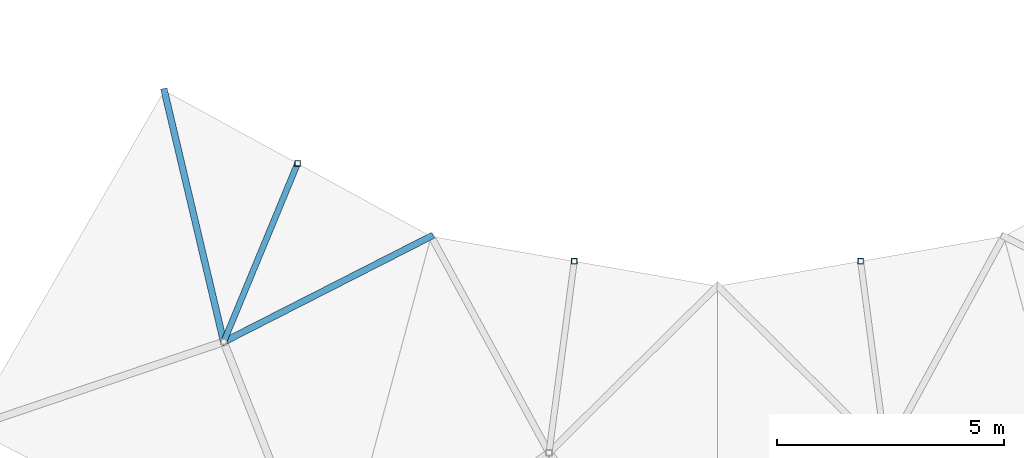
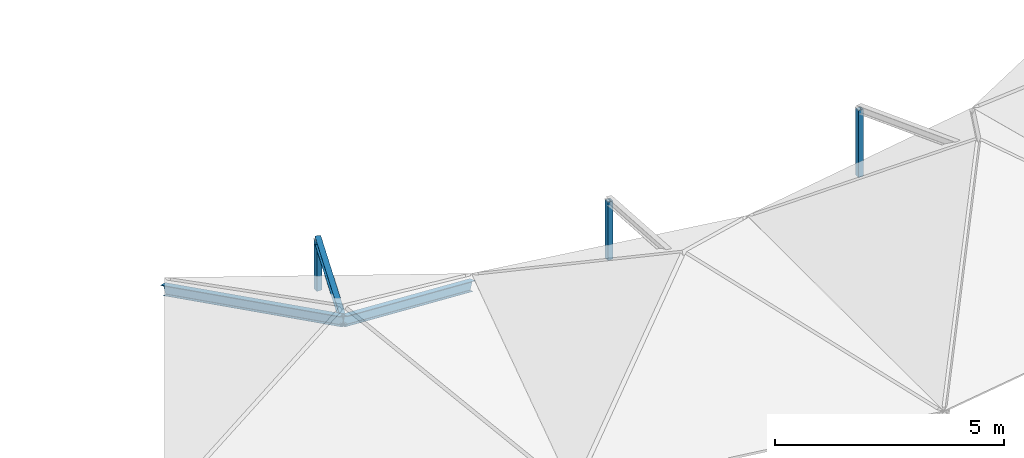
# One storey, part 10 of 66: 6 members.
"""IFC4 building model written with IfcOpenShell, lengths in metres."""

from ifc_helpers import new_model, si_unit, direction, frame, origin, origin_2d, place, context, subcontext, project, spatial, hollow_rectangle, i_section, extrude, material, material_profile, profile_set, type_object, element, save


model = new_model("IFC4")

# Units and contexts
model_context = context("Model", 3, precision=1e-05, world=origin(), true_north=direction((0.0, 1.0)))
body_context = subcontext(model_context, "Body", "Model", "MODEL_VIEW")
ifc_project = project(units=[si_unit("LENGTHUNIT", "METRE"), si_unit("AREAUNIT", "SQUARE_METRE"), si_unit("VOLUMEUNIT", "CUBIC_METRE"), si_unit("PLANEANGLEUNIT", "RADIAN"), si_unit("MASSUNIT", "GRAM", prefix="KILO")], contexts=[model_context])

# Site, building, storey
site_placement = place(None, origin())
site = spatial("IfcSite", under=ifc_project, at=site_placement, CompositionType="ELEMENT")
building_placement = place(site_placement, origin())
building = spatial("IfcBuilding", under=site, at=building_placement, Name="Karori Crest Natural Sciences Institute", CompositionType="ELEMENT")
storey_placement = place(building_placement, frame((0.0, 0.0, 30.10009765625)))
storey = spatial("IfcBuildingStorey", under=building, at=storey_placement, Name="L07", CompositionType="ELEMENT", Elevation=30.10009765625)

# Members
ifc_material_1 = material(Name="Structural steel AS/NZS 3679.1 Grade 350", Category="steel")
ifc_material_profile_1 = material_profile(ifc_material_1, i_section(OverallWidth=0.14599609375, OverallDepth=0.256103515625, WebThickness=0.00634765625, FlangeThickness=0.010986328125, FilletRadius=0.009033203125, at=origin_2d()), Name="250UB37.3")
ifc_profile_set_1 = profile_set([ifc_material_profile_1], Name="Structural steel AS/NZS 3679.1 Grade 350")
member_type_1 = type_object("IfcMemberType", Name="MT-07", PredefinedType="RAFTER", material=ifc_profile_set_1)
member_1_placement = place(storey_placement, frame((54.199951171875, 22.013916015625, -0.260009765625), z_axis=(0.216231188083, -0.914895498033, 0.340896319984), x_axis=(0.973188622273, 0.230008490014, 0.0)))
element("IfcMember", 1, at=member_1_placement, inside=storey, type_object=member_type_1, Name="Member M-0145", PredefinedType="RAFTER", context=body_context, shape_type="SweptSolid", body=[
    extrude(i_section(OverallWidth=0.14599609375, OverallDepth=0.256103515625, WebThickness=0.00634765625, FlangeThickness=0.010986328125, FilletRadius=0.009033203125, at=origin_2d()), origin(), (0.0, 0.0, 1.0), 6.063232421875),
])
member_2_placement = place(storey_placement, frame((60.084716796875, 18.797119140625, -0.260009765625), z_axis=(-0.82652802512, -0.421117220015, 0.373512664709), x_axis=(0.453973516922, -0.891015177162, 0.0)))
element("IfcMember", 2, at=member_2_placement, inside=storey, type_object=member_type_1, Name="Member M-0146", PredefinedType="RAFTER", context=body_context, shape_type="SweptSolid", body=[
    extrude(i_section(OverallWidth=0.14599609375, OverallDepth=0.256103515625, WebThickness=0.00634765625, FlangeThickness=0.010986328125, FilletRadius=0.009033203125, at=origin_2d()), origin(), (0.0, 0.0, 1.0), 5.53369140625),
])
ifc_material_profile_2 = material_profile(ifc_material_1, i_section(OverallWidth=0.133056640625, OverallDepth=0.202880859375, WebThickness=0.005859375, FlangeThickness=0.0078125, FilletRadius=0.009033203125, at=origin_2d()), Name="200UB25.4")
ifc_profile_set_2 = profile_set([ifc_material_profile_2], Name="Structural steel AS/NZS 3679.1 Grade 350")
member_type_2 = type_object("IfcMemberType", Name="MT-09", PredefinedType="PURLIN", material=ifc_profile_set_2)
member_3_placement = place(storey_placement, frame((57.142333984375, 20.405517578125, 0.9990234375), z_axis=(-0.375967845867, -0.907735596732, 0.186183418433), x_axis=(0.923889805527, -0.38265863017, 0.0)))
element("IfcMember", 3, at=member_3_placement, inside=storey, type_object=member_type_2, Name="Member M-0147", PredefinedType="PURLIN", context=body_context, shape_type="SweptSolid", body=[
    extrude(i_section(OverallWidth=0.133056640625, OverallDepth=0.202880859375, WebThickness=0.005859375, FlangeThickness=0.0078125, FilletRadius=0.009033203125, at=origin_2d()), origin(), (0.0, 0.0, 1.0), 4.339111328125),
])
ifc_material_2 = material(Name="Hollow structural steel AS/NZS 1163 Grade C350", Category="steel")
ifc_material_profile_3 = material_profile(ifc_material_2, hollow_rectangle(XDim=0.125, YDim=0.125, WallThickness=0.006103515625, at=origin_2d()), Name="SHS125x125x6")
ifc_profile_set_3 = profile_set([ifc_material_profile_3], Name="Hollow structural steel AS/NZS 1163 Grade C350")
member_type_3 = type_object("IfcMemberType", Name="MT-20", PredefinedType="STRUT", material=ifc_profile_set_3)
member_4_placement = place(storey_placement, frame((57.142333984375, 20.405517578125, -0.322998046875), z_axis=(0.0, 0.0, 1.0), x_axis=(1.0, 0.0, 0.0)))
element("IfcMember", 4, at=member_4_placement, inside=storey, type_object=member_type_3, Name="Member M-0142", PredefinedType="STRUT", context=body_context, shape_type="SweptSolid", body=[
    extrude(hollow_rectangle(XDim=0.125, YDim=0.125, WallThickness=0.006103515625, at=origin_2d()), origin(), (0.0, 0.0, 1.0), 1.322021484375),
])
member_5_placement = place(storey_placement, frame((63.242431640625, 18.24853515625, -0.322998046875), z_axis=(0.0, 0.0, 1.0), x_axis=(1.0, 0.0, 0.0)))
element("IfcMember", 5, at=member_5_placement, inside=storey, type_object=member_type_3, Name="Member M-0149", PredefinedType="STRUT", context=body_context, shape_type="SweptSolid", body=[
    extrude(hollow_rectangle(XDim=0.125, YDim=0.125, WallThickness=0.006103515625, at=origin_2d()), origin(), (0.0, 0.0, 1.0), 1.552978515625),
])
member_6_placement = place(storey_placement, frame((69.5576171875, 18.24853515625, -0.322998046875), z_axis=(0.0, 0.0, 1.0), x_axis=(1.0, 0.0, 0.0)))
element("IfcMember", 6, at=member_6_placement, inside=storey, type_object=member_type_3, Name="Member M-0156", PredefinedType="STRUT", context=body_context, shape_type="SweptSolid", body=[
    extrude(hollow_rectangle(XDim=0.125, YDim=0.125, WallThickness=0.006103515625, at=origin_2d()), origin(), (0.0, 0.0, 1.0), 1.783935546875),
])

save(model, "model.ifc")
